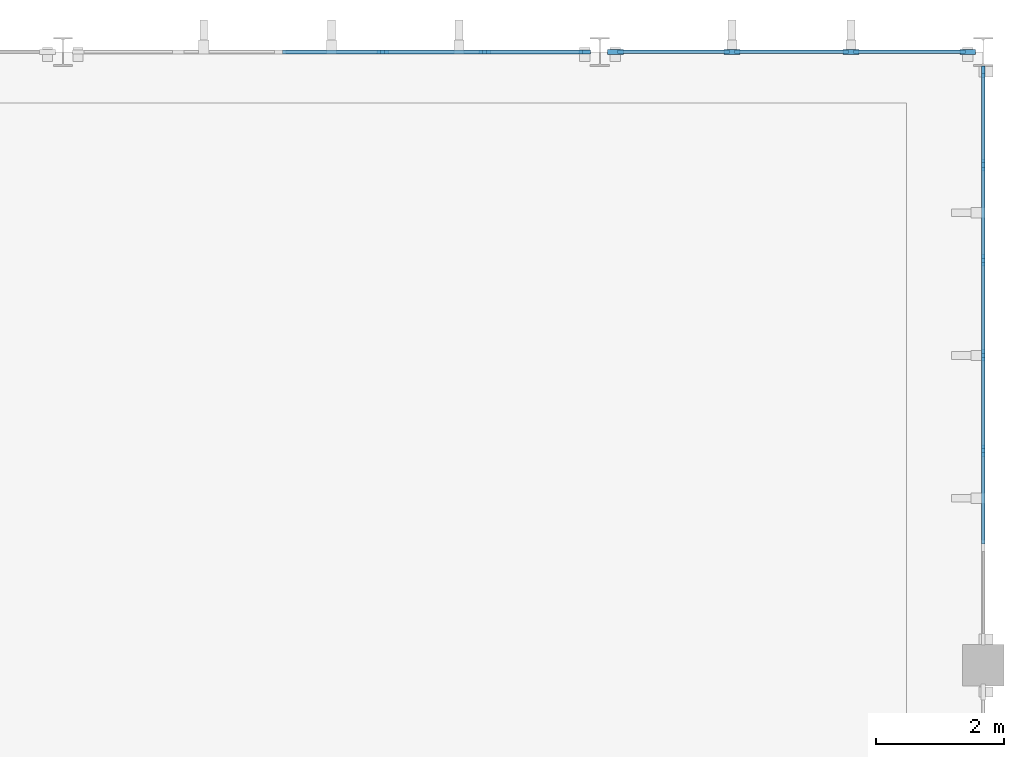
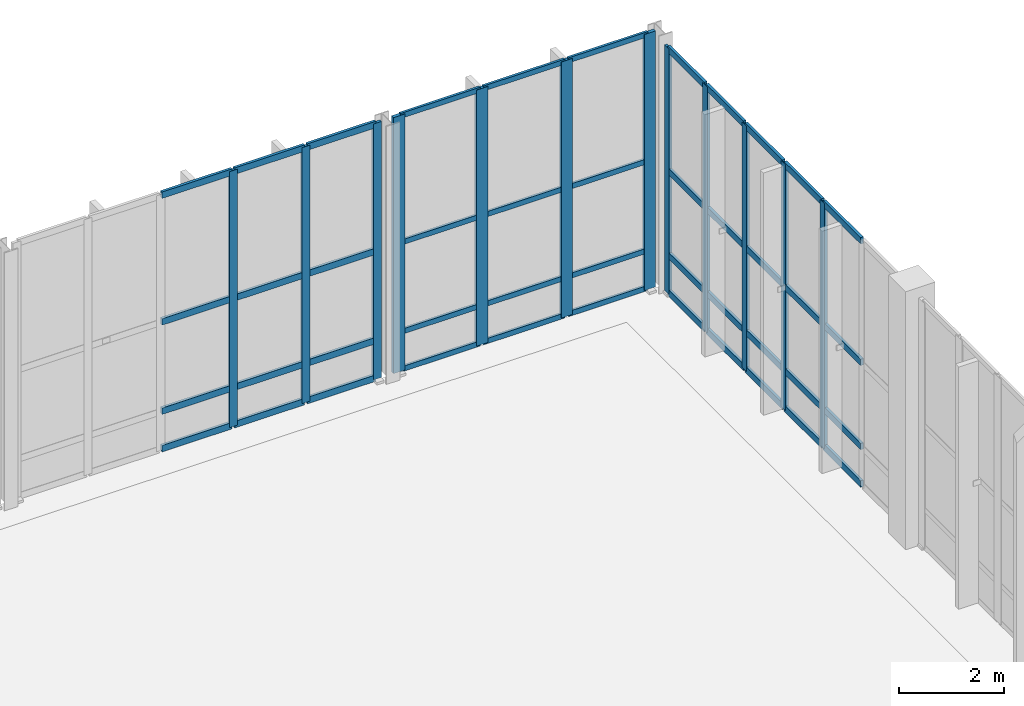
# One storey, part 55 of 110: 56 members, 3 elements without a shape of their own.
"""IFC4 building model written with IfcOpenShell, lengths in metres."""

import ifcopenshell
import ifcopenshell.guid

model = None  # the IFC model being written
_history = None  # IfcOwnerHistory: only IFC2X3 demands one
_inside = {}  # id of a spatial element -> (the spatial element, [elements in it])
_under = {}  # id of a project, library or spatial element -> (it, [spatial elements below it])
_declared = {}  # id of a project -> (the project, [libraries it declares])
_typed = {}  # id of a type object -> (the type object, [elements of that type])
_made_of = {}  # id of a material, layer set ... -> (it, [elements and type objects made of it])


def new_model(schema):
    """Start an empty IFC model of exactly this schema.

    Asked for "IFC4X3", IfcOpenShell would pick the latest addendum, in which some entities
    have other attributes; the version numbers below select the first issue.
    IFC2X3 requires an IfcOwnerHistory on every rooted entity: one is made here for all.
    """
    global model, _history
    if schema == "IFC4X3":
        model = ifcopenshell.file(schema_version=(4, 3, 0, 0))
    else:
        model = ifcopenshell.file(schema=schema)
    _inside.clear()
    _under.clear()
    _declared.clear()
    _typed.clear()
    _made_of.clear()
    _history = None
    if model.schema == "IFC2X3":
        org = make("IfcOrganization", Name="unknown")
        user = make(
            "IfcPersonAndOrganization",
            ThePerson=make("IfcPerson", FamilyName="unknown"),
            TheOrganization=org,
        )
        app = make(
            "IfcApplication",
            ApplicationDeveloper=org,
            Version="unknown",
            ApplicationFullName="unknown",
            ApplicationIdentifier="unknown",
        )
        _history = make(
            "IfcOwnerHistory",
            OwningUser=user,
            OwningApplication=app,
            ChangeAction="ADDED",
            CreationDate=0,
        )
    return model


def make(cls, **values):
    """One entity of the class cls with the attributes given. An attribute that is None is left unset."""
    return model.create_entity(
        cls, **{name: value for name, value in values.items() if value is not None}
    )


def rooted(cls, **values):
    """An entity with a GlobalId (a new one), such as an element, a storey or a relation."""
    return make(cls, GlobalId=ifcopenshell.guid.new(), OwnerHistory=_history, **values)


def si_unit(unit_type, name, prefix=None):
    """IfcSIUnit, for example si_unit("LENGTHUNIT", "METRE", prefix="MILLI")."""
    return make("IfcSIUnit", UnitType=unit_type, Prefix=prefix, Name=name)


def assignment(units):
    """IfcUnitAssignment: the units of a project."""
    return None if units is None else make("IfcUnitAssignment", Units=units)


def point(xyz):
    """IfcCartesianPoint."""
    return None if xyz is None else make("IfcCartesianPoint", Coordinates=xyz)


def direction(xyz):
    """IfcDirection."""
    return None if xyz is None else make("IfcDirection", DirectionRatios=xyz)


def frame(location, z_axis=None, x_axis=None):
    """IfcAxis2Placement3D, a coordinate frame: its origin and axes. An axis left out is left unset."""
    return make(
        "IfcAxis2Placement3D",
        Location=point(location),
        Axis=direction(z_axis),
        RefDirection=direction(x_axis),
    )


def frame_2d(location, x_axis=None):
    """IfcAxis2Placement2D, a coordinate frame in the plane: its origin and x axis."""
    return make(
        "IfcAxis2Placement2D", Location=point(location), RefDirection=direction(x_axis)
    )


def origin():
    """The frame at (0, 0, 0) with its axes left unset."""
    return frame((0.0, 0.0, 0.0))


def origin_2d():
    """The frame at (0, 0) in the plane with its x axis left unset."""
    return frame_2d((0.0, 0.0))


def place(relative_to, where):
    """IfcLocalPlacement: puts the frame where relative to a parent placement (None: the world)."""
    return make(
        "IfcLocalPlacement", PlacementRelTo=relative_to, RelativePlacement=where
    )


def context(
    kind, dimensions, precision=None, world=None, true_north=None, identifier=None
):
    """IfcGeometricRepresentationContext, for example the 3D "Model" context."""
    return make(
        "IfcGeometricRepresentationContext",
        ContextIdentifier=identifier,
        ContextType=kind,
        CoordinateSpaceDimension=dimensions,
        Precision=precision,
        WorldCoordinateSystem=world,
        TrueNorth=true_north,
    )


def subcontext(parent, identifier, kind, view, scale=None):
    """IfcGeometricRepresentationSubContext, for example "Body" below "Model"."""
    return make(
        "IfcGeometricRepresentationSubContext",
        ContextIdentifier=identifier,
        ContextType=kind,
        ParentContext=parent,
        TargetScale=scale,
        TargetView=view,
    )


def project(units=None, contexts=None):
    """IfcProject with its units and contexts."""
    return rooted(
        "IfcProject",
        Name="project",
        RepresentationContexts=contexts,
        UnitsInContext=assignment(units),
    )


def spatial(cls, under=None, at=None, **own):
    """A site, building, storey or space (cls), placed at a placement, below another one or the project."""
    s = rooted(cls, ObjectPlacement=at, **own)
    if under is not None:
        _under.setdefault(under.id(), (under, []))[1].append(s)
    return s


def profile(cls, at=None, kind="AREA", **sizes):
    """A parametric profile (cls). Its sizes go by their IFC names, for example OverallWidth=200.0."""
    return make(cls, ProfileType=kind, Position=at, **sizes)


def rectangle(**sizes):
    """IfcRectangleProfileDef."""
    return profile("IfcRectangleProfileDef", **sizes)


def extrude(swept, where, along, depth):
    """IfcExtrudedAreaSolid: the profile swept, set in the frame where, extruded along a direction by depth."""
    return make(
        "IfcExtrudedAreaSolid",
        SweptArea=swept,
        Position=where,
        ExtrudedDirection=direction(along),
        Depth=depth,
    )


def shape(context_of_items, identifier, shape_type, items):
    """IfcShapeRepresentation: the items that make up one representation, for example the "Body"."""
    return make(
        "IfcShapeRepresentation",
        ContextOfItems=context_of_items,
        RepresentationIdentifier=identifier,
        RepresentationType=shape_type,
        Items=items,
    )


def material(Name=None, Category=None):
    """IfcMaterial."""
    return make("IfcMaterial", Name=Name, Category=Category)


def material_profile(
    of_material, cross_section, Name=None, Category=None, Priority=None
):
    """IfcMaterialProfile: a cross section and its material."""
    return make(
        "IfcMaterialProfile",
        Name=Name,
        Material=of_material,
        Profile=cross_section,
        Priority=Priority,
        Category=Category,
    )


def profile_set(profiles, Name=None, composite=None):
    """IfcMaterialProfileSet."""
    return make(
        "IfcMaterialProfileSet",
        Name=Name,
        MaterialProfiles=profiles,
        CompositeProfile=composite,
    )


def made_of(thing, what):
    """Note that an element or type object is made of a material, layer set ...; save() writes the relation."""
    if what is not None:
        _made_of.setdefault(what.id(), (what, []))[1].append(thing)
    return thing


def type_object(cls, material=None, **own):
    """A type object (cls), such as IfcWallType, which elements share."""
    return made_of(rooted(cls, **own), material)


def element(
    cls,
    number,
    at=None,
    inside=None,
    cuts=None,
    type_object=None,
    material=None,
    context=None,
    identifier="Body",
    shape_type=None,
    held_by="IfcProductDefinitionShape",
    body=None,
    shapes=None,
    **own,
):
    """One element of the class cls, such as IfcWall. Its Tag is "e" and its number.

    at: its placement. inside: the storey or other place that contains it. cuts: it is an
    opening in that element (IfcRelVoidsElement). A single representation is given by context,
    identifier, shape_type and body (its items); several are given by shapes. held_by: the class
    of the entity that holds the representations. save() writes the other relations.
    """
    e = rooted(cls, Tag="e%d" % number, ObjectPlacement=at, **own)
    if body is not None:
        shapes = [shape(context, identifier, shape_type, body)]
    if shapes is not None:
        e.Representation = make(held_by, Representations=shapes)
    if inside is not None:
        _inside.setdefault(inside.id(), (inside, []))[1].append(e)
    if cuts is not None:
        rooted(
            "IfcRelVoidsElement", RelatingBuildingElement=cuts, RelatedOpeningElement=e
        )
    if type_object is not None:
        _typed.setdefault(type_object.id(), (type_object, []))[1].append(e)
    return made_of(e, material)


def aggregate(whole, parts):
    """IfcRelAggregates: a whole, such as a stair, and the parts it consists of."""
    return rooted("IfcRelAggregates", RelatingObject=whole, RelatedObjects=parts)


def save(model, path):
    """Write the relations noted so far, then the file.

    IfcRelAggregates (storeys below a building ...), IfcRelContainedInSpatialStructure (elements
    in a storey), IfcRelDefinesByType, IfcRelAssociatesMaterial and IfcRelDeclares: one each for
    every whole, place, type object, material and project.
    """
    for whole, parts in _under.values():
        aggregate(whole, parts)
    for where, things in _inside.values():
        rooted(
            "IfcRelContainedInSpatialStructure",
            RelatedElements=things,
            RelatingStructure=where,
        )
    for kind, things in _typed.values():
        rooted("IfcRelDefinesByType", RelatedObjects=things, RelatingType=kind)
    for what, things in _made_of.values():
        rooted("IfcRelAssociatesMaterial", RelatedObjects=things, RelatingMaterial=what)
    for by, libraries in _declared.values():
        rooted("IfcRelDeclares", RelatingContext=by, RelatedDefinitions=libraries)
    model.write(path)


model = new_model("IFC4")

# Units and contexts
model_context = context("Model", 3, precision=1e-05, world=origin(), true_north=direction((0.0, 1.0)))
body_context = subcontext(model_context, "Body", "Model", "MODEL_VIEW")
ifc_project = project(units=[si_unit("LENGTHUNIT", "METRE"), si_unit("AREAUNIT", "SQUARE_METRE"), si_unit("VOLUMEUNIT", "CUBIC_METRE"), si_unit("PLANEANGLEUNIT", "RADIAN"), si_unit("MASSUNIT", "GRAM", prefix="KILO")], contexts=[model_context])

# Site, building, storey
site_placement = place(None, origin())
site = spatial("IfcSite", under=ifc_project, at=site_placement, CompositionType="ELEMENT")
building_placement = place(site_placement, origin())
building = spatial("IfcBuilding", under=site, at=building_placement, Name="Tizgana Railside Sports Hall", CompositionType="ELEMENT")
storey_placement = place(building_placement, origin())
storey = spatial("IfcBuildingStorey", under=building, at=storey_placement, Name="L00", CompositionType="ELEMENT", Elevation=0.0)

# Curtain wall, members
ifc_material_1 = material(Name="Anodised aluminium and glass", Category="aluminium")
curtain_wall_type_1 = type_object("IfcCurtainWallType", Name="Unitised Curtain Wall Studio 1400", PredefinedType="NOTDEFINED", material=ifc_material_1)
curtain_wall_1_placement = place(storey_placement, origin())
curtain_wall_1 = element("IfcCurtainWall", 1, at=curtain_wall_1_placement, inside=storey, type_object=curtain_wall_type_1, Name="L00 Curtain Wall CW-0050", PredefinedType="NOTDEFINED")
ifc_material_2 = material(Name="Anodised aluminium", Category="aluminium")
ifc_material_profile_1 = material_profile(ifc_material_2, rectangle(XDim=0.06005859375, YDim=0.179931640625, at=origin_2d()), Name="Mullion 60x180")
ifc_profile_set_1 = profile_set([ifc_material_profile_1], Name="Anodised aluminium")
member_type_1 = type_object("IfcMemberType", Name="Mullion 60x180", PredefinedType="MULLION", material=ifc_profile_set_1)
member_1_placement = place(storey_placement, frame((162.799072265625, 117.60009765625, 0.044921875), z_axis=(0.0, 0.0, 1.0), x_axis=(0.0, 1.0, 0.0)))
member_1 = element("IfcMember", 2, at=member_1_placement, type_object=member_type_1, Name="CW-03 mullion 4", PredefinedType="MULLION", context=body_context, shape_type="SweptSolid", body=[
    extrude(rectangle(XDim=0.06005859375, YDim=0.179931640625, at=origin_2d()), origin(), (0.0, 0.0, 1.0), 5.955078125),
])
member_2_placement = place(storey_placement, frame((164.39697265625, 117.60009765625, 0.044921875), z_axis=(0.0, 0.0, 1.0), x_axis=(0.0, 1.0, 0.0)))
member_2 = element("IfcMember", 3, at=member_2_placement, type_object=member_type_1, Name="CW-03 mullion 5", PredefinedType="MULLION", context=body_context, shape_type="SweptSolid", body=[
    extrude(rectangle(XDim=0.06005859375, YDim=0.179931640625, at=origin_2d()), origin(), (0.0, 0.0, 1.0), 5.955078125),
])
member_3_placement = place(storey_placement, frame((165.965087890625, 117.60009765625, 0.044921875), z_axis=(0.0, 0.0, 1.0), x_axis=(0.0, 1.0, 0.0)))
member_3 = element("IfcMember", 4, at=member_3_placement, type_object=member_type_1, Name="CW-03 mullion 6", PredefinedType="MULLION", context=body_context, shape_type="SweptSolid", body=[
    extrude(rectangle(XDim=0.06005859375, YDim=0.179931640625, at=origin_2d()), origin(), (0.0, 0.0, 1.0), 5.955078125),
])

curtain_wall_type_2 = type_object("IfcCurtainWallType", Name="Unitised Curtain Wall Clinic 1200", PredefinedType="NOTDEFINED", material=ifc_material_1)
curtain_wall_2_placement = place(storey_placement, origin())
curtain_wall_2 = element("IfcCurtainWall", 5, at=curtain_wall_2_placement, inside=storey, type_object=curtain_wall_type_2, Name="L00 Curtain Wall CW-0068", PredefinedType="NOTDEFINED")
member_4_placement = place(storey_placement, frame((172.199951171875, 111.360107421875, 0.044921875), z_axis=(0.0, 0.0, 1.0), x_axis=(-1.0, 0.0, 0.0)))
member_4 = element("IfcMember", 6, at=member_4_placement, type_object=member_type_1, Name="CW-05 mullion 3", PredefinedType="MULLION", context=body_context, shape_type="SweptSolid", body=[
    extrude(rectangle(XDim=0.06005859375, YDim=0.179931640625, at=origin_2d()), origin(), (0.0, 0.0, 1.0), 5.715087890625),
])
member_5_placement = place(storey_placement, frame((172.199951171875, 112.85009765625, 0.044921875), z_axis=(0.0, 0.0, 1.0), x_axis=(-1.0, 0.0, 0.0)))
member_5 = element("IfcMember", 7, at=member_5_placement, type_object=member_type_1, Name="CW-05 mullion 4", PredefinedType="MULLION", context=body_context, shape_type="SweptSolid", body=[
    extrude(rectangle(XDim=0.06005859375, YDim=0.179931640625, at=origin_2d()), origin(), (0.0, 0.0, 1.0), 5.715087890625),
])
member_6_placement = place(storey_placement, frame((172.199951171875, 114.340087890625, 0.044921875), z_axis=(0.0, 0.0, 1.0), x_axis=(-1.0, 0.0, 0.0)))
member_6 = element("IfcMember", 8, at=member_6_placement, type_object=member_type_1, Name="CW-05 mullion 5", PredefinedType="MULLION", context=body_context, shape_type="SweptSolid", body=[
    extrude(rectangle(XDim=0.06005859375, YDim=0.179931640625, at=origin_2d()), origin(), (0.0, 0.0, 1.0), 5.715087890625),
])
member_7_placement = place(storey_placement, frame((172.199951171875, 115.830078125, 0.044921875), z_axis=(0.0, 0.0, 1.0), x_axis=(-1.0, 0.0, 0.0)))
member_7 = element("IfcMember", 9, at=member_7_placement, type_object=member_type_1, Name="CW-05 mullion 6", PredefinedType="MULLION", context=body_context, shape_type="SweptSolid", body=[
    extrude(rectangle(XDim=0.06005859375, YDim=0.179931640625, at=origin_2d()), origin(), (0.0, 0.0, 1.0), 5.715087890625),
])
member_8_placement = place(storey_placement, frame((172.199951171875, 117.2900390625, 0.044921875), z_axis=(0.0, 0.0, 1.0), x_axis=(-1.0, 0.0, 0.0)))
member_8 = element("IfcMember", 10, at=member_8_placement, type_object=member_type_1, Name="CW-05 mullion 7", PredefinedType="MULLION", context=body_context, shape_type="SweptSolid", body=[
    extrude(rectangle(XDim=0.06005859375, YDim=0.179931640625, at=origin_2d()), origin(), (0.0, 0.0, 1.0), 5.715087890625),
])

curtain_wall_type_3 = type_object("IfcCurtainWallType", Name="Unitised Curtain Wall Passage 1800", PredefinedType="NOTDEFINED", material=ifc_material_1)
curtain_wall_3_placement = place(storey_placement, origin())
curtain_wall_3 = element("IfcCurtainWall", 11, at=curtain_wall_3_placement, inside=storey, type_object=curtain_wall_type_3, Name="L00 Curtain Wall CW-0053", PredefinedType="NOTDEFINED")
ifc_material_profile_2 = material_profile(ifc_material_2, rectangle(XDim=0.074951171875, YDim=0.25, at=origin_2d()), Name="Mullion 75x250")
ifc_profile_set_2 = profile_set([ifc_material_profile_2], Name="Anodised aluminium")
member_type_2 = type_object("IfcMemberType", Name="Mullion 75x250", PredefinedType="MULLION", material=ifc_profile_set_2)
member_9_placement = place(storey_placement, frame((166.4423828125, 117.60009765625, 0.044921875), z_axis=(0.0, 0.0, 1.0), x_axis=(0.0, 1.0, 0.0)))
member_9 = element("IfcMember", 12, at=member_9_placement, type_object=member_type_2, Name="CW-06 mullion 1", PredefinedType="MULLION", context=body_context, shape_type="SweptSolid", body=[
    extrude(rectangle(XDim=0.074951171875, YDim=0.25, at=origin_2d()), origin(), (0.0, 0.0, 1.0), 5.955078125),
])
member_10_placement = place(storey_placement, frame((168.268310546875, 117.60009765625, 0.044921875), z_axis=(0.0, 0.0, 1.0), x_axis=(0.0, 1.0, 0.0)))
member_10 = element("IfcMember", 13, at=member_10_placement, type_object=member_type_2, Name="CW-06 mullion 2", PredefinedType="MULLION", context=body_context, shape_type="SweptSolid", body=[
    extrude(rectangle(XDim=0.074951171875, YDim=0.25, at=origin_2d()), origin(), (0.0, 0.0, 1.0), 5.955078125),
])
member_11_placement = place(storey_placement, frame((170.131591796875, 117.60009765625, 0.044921875), z_axis=(0.0, 0.0, 1.0), x_axis=(0.0, 1.0, 0.0)))
member_11 = element("IfcMember", 14, at=member_11_placement, type_object=member_type_2, Name="CW-06 mullion 3", PredefinedType="MULLION", context=body_context, shape_type="SweptSolid", body=[
    extrude(rectangle(XDim=0.074951171875, YDim=0.25, at=origin_2d()), origin(), (0.0, 0.0, 1.0), 5.955078125),
])
member_12_placement = place(storey_placement, frame((171.95751953125, 117.60009765625, 0.044921875), z_axis=(0.0, 0.0, 1.0), x_axis=(0.0, 1.0, 0.0)))
member_12 = element("IfcMember", 15, at=member_12_placement, type_object=member_type_2, Name="CW-06 mullion 4", PredefinedType="MULLION", context=body_context, shape_type="SweptSolid", body=[
    extrude(rectangle(XDim=0.074951171875, YDim=0.25, at=origin_2d()), origin(), (0.0, 0.0, 1.0), 5.955078125),
])
ifc_material_profile_3 = material_profile(ifc_material_2, rectangle(XDim=0.054931640625, YDim=0.1201171875, at=origin_2d()), Name="Transom 55x120")
ifc_profile_set_3 = profile_set([ifc_material_profile_3], Name="Anodised aluminium")
member_type_3 = type_object("IfcMemberType", Name="Transom 55x120", PredefinedType="USERDEFINED", material=ifc_profile_set_3)
member_13_placement = place(storey_placement, frame((166.47998046875, 117.60009765625, 0.072509765625), z_axis=(1.0, 0.0, 0.0), x_axis=(0.0, 1.0, 0.0)))
member_13 = element("IfcMember", 16, at=member_13_placement, type_object=member_type_3, Name="CW-06 transom 1.1", ObjectType="TRANSOM", PredefinedType="USERDEFINED", context=body_context, shape_type="SweptSolid", body=[
    extrude(rectangle(XDim=0.054931640625, YDim=0.1201171875, at=origin_2d()), origin(), (0.0, 0.0, 1.0), 1.750732421875),
])
member_14_placement = place(storey_placement, frame((166.47998046875, 117.60009765625, 0.945068359375), z_axis=(1.0, 0.0, 0.0), x_axis=(0.0, 1.0, 0.0)))
member_14 = element("IfcMember", 17, at=member_14_placement, type_object=member_type_3, Name="CW-06 transom 1.2", ObjectType="TRANSOM", PredefinedType="USERDEFINED", context=body_context, shape_type="SweptSolid", body=[
    extrude(rectangle(XDim=0.054931640625, YDim=0.1201171875, at=origin_2d()), origin(), (0.0, 0.0, 1.0), 1.750732421875),
])
member_15_placement = place(storey_placement, frame((166.47998046875, 117.60009765625, 3.0224609375), z_axis=(1.0, 0.0, 0.0), x_axis=(0.0, 1.0, 0.0)))
member_15 = element("IfcMember", 18, at=member_15_placement, type_object=member_type_3, Name="CW-06 transom 1.3", ObjectType="TRANSOM", PredefinedType="USERDEFINED", context=body_context, shape_type="SweptSolid", body=[
    extrude(rectangle(XDim=0.054931640625, YDim=0.1201171875, at=origin_2d()), origin(), (0.0, 0.0, 1.0), 1.750732421875),
])
member_16_placement = place(storey_placement, frame((166.47998046875, 117.60009765625, 5.972412109375), z_axis=(1.0, 0.0, 0.0), x_axis=(0.0, 1.0, 0.0)))
member_16 = element("IfcMember", 19, at=member_16_placement, type_object=member_type_3, Name="CW-06 transom 1.4", ObjectType="TRANSOM", PredefinedType="USERDEFINED", context=body_context, shape_type="SweptSolid", body=[
    extrude(rectangle(XDim=0.054931640625, YDim=0.1201171875, at=origin_2d()), origin(), (0.0, 0.0, 1.0), 1.750732421875),
])
member_17_placement = place(storey_placement, frame((168.305908203125, 117.60009765625, 0.072509765625), z_axis=(1.0, 0.0, 0.0), x_axis=(0.0, 1.0, 0.0)))
member_17 = element("IfcMember", 20, at=member_17_placement, type_object=member_type_3, Name="CW-06 transom 2.1", ObjectType="TRANSOM", PredefinedType="USERDEFINED", context=body_context, shape_type="SweptSolid", body=[
    extrude(rectangle(XDim=0.054931640625, YDim=0.1201171875, at=origin_2d()), origin(), (0.0, 0.0, 1.0), 1.788330078125),
])
member_18_placement = place(storey_placement, frame((168.305908203125, 117.60009765625, 0.945068359375), z_axis=(1.0, 0.0, 0.0), x_axis=(0.0, 1.0, 0.0)))
member_18 = element("IfcMember", 21, at=member_18_placement, type_object=member_type_3, Name="CW-06 transom 2.2", ObjectType="TRANSOM", PredefinedType="USERDEFINED", context=body_context, shape_type="SweptSolid", body=[
    extrude(rectangle(XDim=0.054931640625, YDim=0.1201171875, at=origin_2d()), origin(), (0.0, 0.0, 1.0), 1.788330078125),
])
member_19_placement = place(storey_placement, frame((168.305908203125, 117.60009765625, 3.0224609375), z_axis=(1.0, 0.0, 0.0), x_axis=(0.0, 1.0, 0.0)))
member_19 = element("IfcMember", 22, at=member_19_placement, type_object=member_type_3, Name="CW-06 transom 2.3", ObjectType="TRANSOM", PredefinedType="USERDEFINED", context=body_context, shape_type="SweptSolid", body=[
    extrude(rectangle(XDim=0.054931640625, YDim=0.1201171875, at=origin_2d()), origin(), (0.0, 0.0, 1.0), 1.788330078125),
])
member_20_placement = place(storey_placement, frame((168.305908203125, 117.60009765625, 5.972412109375), z_axis=(1.0, 0.0, 0.0), x_axis=(0.0, 1.0, 0.0)))
member_20 = element("IfcMember", 23, at=member_20_placement, type_object=member_type_3, Name="CW-06 transom 2.4", ObjectType="TRANSOM", PredefinedType="USERDEFINED", context=body_context, shape_type="SweptSolid", body=[
    extrude(rectangle(XDim=0.054931640625, YDim=0.1201171875, at=origin_2d()), origin(), (0.0, 0.0, 1.0), 1.788330078125),
])
member_21_placement = place(storey_placement, frame((170.169189453125, 117.60009765625, 0.072509765625), z_axis=(1.0, 0.0, 0.0), x_axis=(0.0, 1.0, 0.0)))
member_21 = element("IfcMember", 24, at=member_21_placement, type_object=member_type_3, Name="CW-06 transom 3.1", ObjectType="TRANSOM", PredefinedType="USERDEFINED", context=body_context, shape_type="SweptSolid", body=[
    extrude(rectangle(XDim=0.054931640625, YDim=0.1201171875, at=origin_2d()), origin(), (0.0, 0.0, 1.0), 1.750732421875),
])
member_22_placement = place(storey_placement, frame((170.169189453125, 117.60009765625, 0.945068359375), z_axis=(1.0, 0.0, 0.0), x_axis=(0.0, 1.0, 0.0)))
member_22 = element("IfcMember", 25, at=member_22_placement, type_object=member_type_3, Name="CW-06 transom 3.2", ObjectType="TRANSOM", PredefinedType="USERDEFINED", context=body_context, shape_type="SweptSolid", body=[
    extrude(rectangle(XDim=0.054931640625, YDim=0.1201171875, at=origin_2d()), origin(), (0.0, 0.0, 1.0), 1.750732421875),
])
member_23_placement = place(storey_placement, frame((170.169189453125, 117.60009765625, 3.0224609375), z_axis=(1.0, 0.0, 0.0), x_axis=(0.0, 1.0, 0.0)))
member_23 = element("IfcMember", 26, at=member_23_placement, type_object=member_type_3, Name="CW-06 transom 3.3", ObjectType="TRANSOM", PredefinedType="USERDEFINED", context=body_context, shape_type="SweptSolid", body=[
    extrude(rectangle(XDim=0.054931640625, YDim=0.1201171875, at=origin_2d()), origin(), (0.0, 0.0, 1.0), 1.750732421875),
])
member_24_placement = place(storey_placement, frame((170.169189453125, 117.60009765625, 5.972412109375), z_axis=(1.0, 0.0, 0.0), x_axis=(0.0, 1.0, 0.0)))
member_24 = element("IfcMember", 27, at=member_24_placement, type_object=member_type_3, Name="CW-06 transom 3.4", ObjectType="TRANSOM", PredefinedType="USERDEFINED", context=body_context, shape_type="SweptSolid", body=[
    extrude(rectangle(XDim=0.054931640625, YDim=0.1201171875, at=origin_2d()), origin(), (0.0, 0.0, 1.0), 1.750732421875),
])
aggregate(curtain_wall_3, [member_9, member_10, member_11, member_12, member_13, member_14, member_15, member_16, member_17, member_18, member_19, member_20, member_21, member_22, member_23, member_24])

# Member
ifc_material_profile_4 = material_profile(ifc_material_2, rectangle(XDim=0.06005859375, YDim=0.14990234375, at=origin_2d()), Name="Transom 60x150")
ifc_profile_set_4 = profile_set([ifc_material_profile_4], Name="Anodised aluminium")
member_type_4 = type_object("IfcMemberType", Name="Transom 60x150", PredefinedType="USERDEFINED", material=ifc_profile_set_4)
member_25_placement = place(storey_placement, frame((161.23095703125, 117.60009765625, 0.074951171875), z_axis=(1.0, 0.0, 0.0), x_axis=(0.0, 1.0, 0.0)))
member_25 = element("IfcMember", 28, at=member_25_placement, type_object=member_type_4, Name="CW-03 transom 3.1", ObjectType="TRANSOM", PredefinedType="USERDEFINED", context=body_context, shape_type="SweptSolid", body=[
    extrude(rectangle(XDim=0.06005859375, YDim=0.14990234375, at=origin_2d()), origin(), (0.0, 0.0, 1.0), 1.5380859375),
])

member_26_placement = place(storey_placement, frame((161.23095703125, 117.60009765625, 0.945068359375), z_axis=(1.0, 0.0, 0.0), x_axis=(0.0, 1.0, 0.0)))
member_26 = element("IfcMember", 29, at=member_26_placement, type_object=member_type_4, Name="CW-03 transom 3.2", ObjectType="TRANSOM", PredefinedType="USERDEFINED", context=body_context, shape_type="SweptSolid", body=[
    extrude(rectangle(XDim=0.06005859375, YDim=0.14990234375, at=origin_2d()), origin(), (0.0, 0.0, 1.0), 1.5380859375),
])

member_27_placement = place(storey_placement, frame((161.23095703125, 117.60009765625, 3.0224609375), z_axis=(1.0, 0.0, 0.0), x_axis=(0.0, 1.0, 0.0)))
member_27 = element("IfcMember", 30, at=member_27_placement, type_object=member_type_4, Name="CW-03 transom 3.3", ObjectType="TRANSOM", PredefinedType="USERDEFINED", context=body_context, shape_type="SweptSolid", body=[
    extrude(rectangle(XDim=0.06005859375, YDim=0.14990234375, at=origin_2d()), origin(), (0.0, 0.0, 1.0), 1.5380859375),
])

member_28_placement = place(storey_placement, frame((161.23095703125, 117.60009765625, 5.969970703125), z_axis=(1.0, 0.0, 0.0), x_axis=(0.0, 1.0, 0.0)))
member_28 = element("IfcMember", 31, at=member_28_placement, type_object=member_type_4, Name="CW-03 transom 3.4", ObjectType="TRANSOM", PredefinedType="USERDEFINED", context=body_context, shape_type="SweptSolid", body=[
    extrude(rectangle(XDim=0.06005859375, YDim=0.14990234375, at=origin_2d()), origin(), (0.0, 0.0, 1.0), 1.5380859375),
])

member_29_placement = place(storey_placement, frame((162.8291015625, 117.60009765625, 0.074951171875), z_axis=(1.0, 0.0, 0.0), x_axis=(0.0, 1.0, 0.0)))
member_29 = element("IfcMember", 32, at=member_29_placement, type_object=member_type_4, Name="CW-03 transom 4.1", ObjectType="TRANSOM", PredefinedType="USERDEFINED", context=body_context, shape_type="SweptSolid", body=[
    extrude(rectangle(XDim=0.06005859375, YDim=0.14990234375, at=origin_2d()), origin(), (0.0, 0.0, 1.0), 1.537841796875),
])

member_30_placement = place(storey_placement, frame((162.8291015625, 117.60009765625, 0.945068359375), z_axis=(1.0, 0.0, 0.0), x_axis=(0.0, 1.0, 0.0)))
member_30 = element("IfcMember", 33, at=member_30_placement, type_object=member_type_4, Name="CW-03 transom 4.2", ObjectType="TRANSOM", PredefinedType="USERDEFINED", context=body_context, shape_type="SweptSolid", body=[
    extrude(rectangle(XDim=0.06005859375, YDim=0.14990234375, at=origin_2d()), origin(), (0.0, 0.0, 1.0), 1.537841796875),
])

member_31_placement = place(storey_placement, frame((162.8291015625, 117.60009765625, 3.0224609375), z_axis=(1.0, 0.0, 0.0), x_axis=(0.0, 1.0, 0.0)))
member_31 = element("IfcMember", 34, at=member_31_placement, type_object=member_type_4, Name="CW-03 transom 4.3", ObjectType="TRANSOM", PredefinedType="USERDEFINED", context=body_context, shape_type="SweptSolid", body=[
    extrude(rectangle(XDim=0.06005859375, YDim=0.14990234375, at=origin_2d()), origin(), (0.0, 0.0, 1.0), 1.537841796875),
])

member_32_placement = place(storey_placement, frame((162.8291015625, 117.60009765625, 5.969970703125), z_axis=(1.0, 0.0, 0.0), x_axis=(0.0, 1.0, 0.0)))
member_32 = element("IfcMember", 35, at=member_32_placement, type_object=member_type_4, Name="CW-03 transom 4.4", ObjectType="TRANSOM", PredefinedType="USERDEFINED", context=body_context, shape_type="SweptSolid", body=[
    extrude(rectangle(XDim=0.06005859375, YDim=0.14990234375, at=origin_2d()), origin(), (0.0, 0.0, 1.0), 1.537841796875),
])

member_33_placement = place(storey_placement, frame((164.427001953125, 117.60009765625, 0.074951171875), z_axis=(1.0, 0.0, 0.0), x_axis=(0.0, 1.0, 0.0)))
member_33 = element("IfcMember", 36, at=member_33_placement, type_object=member_type_4, Name="CW-03 transom 5.1", ObjectType="TRANSOM", PredefinedType="USERDEFINED", context=body_context, shape_type="SweptSolid", body=[
    extrude(rectangle(XDim=0.06005859375, YDim=0.14990234375, at=origin_2d()), origin(), (0.0, 0.0, 1.0), 1.508056640625),
])

member_34_placement = place(storey_placement, frame((164.427001953125, 117.60009765625, 0.945068359375), z_axis=(1.0, 0.0, 0.0), x_axis=(0.0, 1.0, 0.0)))
member_34 = element("IfcMember", 37, at=member_34_placement, type_object=member_type_4, Name="CW-03 transom 5.2", ObjectType="TRANSOM", PredefinedType="USERDEFINED", context=body_context, shape_type="SweptSolid", body=[
    extrude(rectangle(XDim=0.06005859375, YDim=0.14990234375, at=origin_2d()), origin(), (0.0, 0.0, 1.0), 1.508056640625),
])

member_35_placement = place(storey_placement, frame((164.427001953125, 117.60009765625, 3.0224609375), z_axis=(1.0, 0.0, 0.0), x_axis=(0.0, 1.0, 0.0)))
member_35 = element("IfcMember", 38, at=member_35_placement, type_object=member_type_4, Name="CW-03 transom 5.3", ObjectType="TRANSOM", PredefinedType="USERDEFINED", context=body_context, shape_type="SweptSolid", body=[
    extrude(rectangle(XDim=0.06005859375, YDim=0.14990234375, at=origin_2d()), origin(), (0.0, 0.0, 1.0), 1.508056640625),
])

member_36_placement = place(storey_placement, frame((164.427001953125, 117.60009765625, 5.969970703125), z_axis=(1.0, 0.0, 0.0), x_axis=(0.0, 1.0, 0.0)))
member_36 = element("IfcMember", 39, at=member_36_placement, type_object=member_type_4, Name="CW-03 transom 5.4", ObjectType="TRANSOM", PredefinedType="USERDEFINED", context=body_context, shape_type="SweptSolid", body=[
    extrude(rectangle(XDim=0.06005859375, YDim=0.14990234375, at=origin_2d()), origin(), (0.0, 0.0, 1.0), 1.508056640625),
])

aggregate(curtain_wall_1, [member_1, member_2, member_3, member_25, member_26, member_27, member_28, member_29, member_30, member_31, member_32, member_33, member_34, member_35, member_36])

member_37_placement = place(storey_placement, frame((172.199951171875, 109.89990234375, 0.074951171875), z_axis=(0.0, 1.0, 0.0), x_axis=(-1.0, 0.0, 0.0)))
member_37 = element("IfcMember", 40, at=member_37_placement, type_object=member_type_4, Name="CW-05 transom 2.1", ObjectType="TRANSOM", PredefinedType="USERDEFINED", context=body_context, shape_type="SweptSolid", body=[
    extrude(rectangle(XDim=0.06005859375, YDim=0.14990234375, at=origin_2d()), origin(), (0.0, 0.0, 1.0), 1.43017578125),
])

member_38_placement = place(storey_placement, frame((172.199951171875, 109.89990234375, 0.945068359375), z_axis=(0.0, 1.0, 0.0), x_axis=(-1.0, 0.0, 0.0)))
member_38 = element("IfcMember", 41, at=member_38_placement, type_object=member_type_4, Name="CW-05 transom 2.2", ObjectType="TRANSOM", PredefinedType="USERDEFINED", context=body_context, shape_type="SweptSolid", body=[
    extrude(rectangle(XDim=0.06005859375, YDim=0.14990234375, at=origin_2d()), origin(), (0.0, 0.0, 1.0), 1.43017578125),
])

member_39_placement = place(storey_placement, frame((172.199951171875, 109.89990234375, 2.902587890625), z_axis=(0.0, 1.0, 0.0), x_axis=(-1.0, 0.0, 0.0)))
member_39 = element("IfcMember", 42, at=member_39_placement, type_object=member_type_4, Name="CW-05 transom 2.3", ObjectType="TRANSOM", PredefinedType="USERDEFINED", context=body_context, shape_type="SweptSolid", body=[
    extrude(rectangle(XDim=0.06005859375, YDim=0.14990234375, at=origin_2d()), origin(), (0.0, 0.0, 1.0), 1.43017578125),
])

member_40_placement = place(storey_placement, frame((172.199951171875, 109.89990234375, 5.72998046875), z_axis=(0.0, 1.0, 0.0), x_axis=(-1.0, 0.0, 0.0)))
member_40 = element("IfcMember", 43, at=member_40_placement, type_object=member_type_4, Name="CW-05 transom 2.4", ObjectType="TRANSOM", PredefinedType="USERDEFINED", context=body_context, shape_type="SweptSolid", body=[
    extrude(rectangle(XDim=0.06005859375, YDim=0.14990234375, at=origin_2d()), origin(), (0.0, 0.0, 1.0), 1.43017578125),
])

member_41_placement = place(storey_placement, frame((172.199951171875, 111.389892578125, 0.074951171875), z_axis=(0.0, 1.0, 0.0), x_axis=(-1.0, 0.0, 0.0)))
member_41 = element("IfcMember", 44, at=member_41_placement, type_object=member_type_4, Name="CW-05 transom 3.1", ObjectType="TRANSOM", PredefinedType="USERDEFINED", context=body_context, shape_type="SweptSolid", body=[
    extrude(rectangle(XDim=0.06005859375, YDim=0.14990234375, at=origin_2d()), origin(), (0.0, 0.0, 1.0), 1.43017578125),
])

member_42_placement = place(storey_placement, frame((172.199951171875, 111.389892578125, 0.945068359375), z_axis=(0.0, 1.0, 0.0), x_axis=(-1.0, 0.0, 0.0)))
member_42 = element("IfcMember", 45, at=member_42_placement, type_object=member_type_4, Name="CW-05 transom 3.2", ObjectType="TRANSOM", PredefinedType="USERDEFINED", context=body_context, shape_type="SweptSolid", body=[
    extrude(rectangle(XDim=0.06005859375, YDim=0.14990234375, at=origin_2d()), origin(), (0.0, 0.0, 1.0), 1.43017578125),
])

member_43_placement = place(storey_placement, frame((172.199951171875, 111.389892578125, 2.902587890625), z_axis=(0.0, 1.0, 0.0), x_axis=(-1.0, 0.0, 0.0)))
member_43 = element("IfcMember", 46, at=member_43_placement, type_object=member_type_4, Name="CW-05 transom 3.3", ObjectType="TRANSOM", PredefinedType="USERDEFINED", context=body_context, shape_type="SweptSolid", body=[
    extrude(rectangle(XDim=0.06005859375, YDim=0.14990234375, at=origin_2d()), origin(), (0.0, 0.0, 1.0), 1.43017578125),
])

member_44_placement = place(storey_placement, frame((172.199951171875, 111.389892578125, 5.72998046875), z_axis=(0.0, 1.0, 0.0), x_axis=(-1.0, 0.0, 0.0)))
member_44 = element("IfcMember", 47, at=member_44_placement, type_object=member_type_4, Name="CW-05 transom 3.4", ObjectType="TRANSOM", PredefinedType="USERDEFINED", context=body_context, shape_type="SweptSolid", body=[
    extrude(rectangle(XDim=0.06005859375, YDim=0.14990234375, at=origin_2d()), origin(), (0.0, 0.0, 1.0), 1.43017578125),
])

member_45_placement = place(storey_placement, frame((172.199951171875, 112.8798828125, 0.074951171875), z_axis=(0.0, 1.0, 0.0), x_axis=(-1.0, 0.0, 0.0)))
member_45 = element("IfcMember", 48, at=member_45_placement, type_object=member_type_4, Name="CW-05 transom 4.1", ObjectType="TRANSOM", PredefinedType="USERDEFINED", context=body_context, shape_type="SweptSolid", body=[
    extrude(rectangle(XDim=0.06005859375, YDim=0.14990234375, at=origin_2d()), origin(), (0.0, 0.0, 1.0), 1.43017578125),
])

member_46_placement = place(storey_placement, frame((172.199951171875, 112.8798828125, 0.945068359375), z_axis=(0.0, 1.0, 0.0), x_axis=(-1.0, 0.0, 0.0)))
member_46 = element("IfcMember", 49, at=member_46_placement, type_object=member_type_4, Name="CW-05 transom 4.2", ObjectType="TRANSOM", PredefinedType="USERDEFINED", context=body_context, shape_type="SweptSolid", body=[
    extrude(rectangle(XDim=0.06005859375, YDim=0.14990234375, at=origin_2d()), origin(), (0.0, 0.0, 1.0), 1.43017578125),
])

member_47_placement = place(storey_placement, frame((172.199951171875, 112.8798828125, 2.902587890625), z_axis=(0.0, 1.0, 0.0), x_axis=(-1.0, 0.0, 0.0)))
member_47 = element("IfcMember", 50, at=member_47_placement, type_object=member_type_4, Name="CW-05 transom 4.3", ObjectType="TRANSOM", PredefinedType="USERDEFINED", context=body_context, shape_type="SweptSolid", body=[
    extrude(rectangle(XDim=0.06005859375, YDim=0.14990234375, at=origin_2d()), origin(), (0.0, 0.0, 1.0), 1.43017578125),
])

member_48_placement = place(storey_placement, frame((172.199951171875, 112.8798828125, 5.72998046875), z_axis=(0.0, 1.0, 0.0), x_axis=(-1.0, 0.0, 0.0)))
member_48 = element("IfcMember", 51, at=member_48_placement, type_object=member_type_4, Name="CW-05 transom 4.4", ObjectType="TRANSOM", PredefinedType="USERDEFINED", context=body_context, shape_type="SweptSolid", body=[
    extrude(rectangle(XDim=0.06005859375, YDim=0.14990234375, at=origin_2d()), origin(), (0.0, 0.0, 1.0), 1.43017578125),
])

member_49_placement = place(storey_placement, frame((172.199951171875, 114.3701171875, 0.074951171875), z_axis=(0.0, 1.0, 0.0), x_axis=(-1.0, 0.0, 0.0)))
member_49 = element("IfcMember", 52, at=member_49_placement, type_object=member_type_4, Name="CW-05 transom 5.1", ObjectType="TRANSOM", PredefinedType="USERDEFINED", context=body_context, shape_type="SweptSolid", body=[
    extrude(rectangle(XDim=0.06005859375, YDim=0.14990234375, at=origin_2d()), origin(), (0.0, 0.0, 1.0), 1.429931640625),
])

member_50_placement = place(storey_placement, frame((172.199951171875, 114.3701171875, 0.945068359375), z_axis=(0.0, 1.0, 0.0), x_axis=(-1.0, 0.0, 0.0)))
member_50 = element("IfcMember", 53, at=member_50_placement, type_object=member_type_4, Name="CW-05 transom 5.2", ObjectType="TRANSOM", PredefinedType="USERDEFINED", context=body_context, shape_type="SweptSolid", body=[
    extrude(rectangle(XDim=0.06005859375, YDim=0.14990234375, at=origin_2d()), origin(), (0.0, 0.0, 1.0), 1.429931640625),
])

member_51_placement = place(storey_placement, frame((172.199951171875, 114.3701171875, 2.902587890625), z_axis=(0.0, 1.0, 0.0), x_axis=(-1.0, 0.0, 0.0)))
member_51 = element("IfcMember", 54, at=member_51_placement, type_object=member_type_4, Name="CW-05 transom 5.3", ObjectType="TRANSOM", PredefinedType="USERDEFINED", context=body_context, shape_type="SweptSolid", body=[
    extrude(rectangle(XDim=0.06005859375, YDim=0.14990234375, at=origin_2d()), origin(), (0.0, 0.0, 1.0), 1.429931640625),
])

member_52_placement = place(storey_placement, frame((172.199951171875, 114.3701171875, 5.72998046875), z_axis=(0.0, 1.0, 0.0), x_axis=(-1.0, 0.0, 0.0)))
member_52 = element("IfcMember", 55, at=member_52_placement, type_object=member_type_4, Name="CW-05 transom 5.4", ObjectType="TRANSOM", PredefinedType="USERDEFINED", context=body_context, shape_type="SweptSolid", body=[
    extrude(rectangle(XDim=0.06005859375, YDim=0.14990234375, at=origin_2d()), origin(), (0.0, 0.0, 1.0), 1.429931640625),
])

member_53_placement = place(storey_placement, frame((172.199951171875, 115.860107421875, 0.074951171875), z_axis=(0.0, 1.0, 0.0), x_axis=(-1.0, 0.0, 0.0)))
member_53 = element("IfcMember", 56, at=member_53_placement, type_object=member_type_4, Name="CW-05 transom 6.1", ObjectType="TRANSOM", PredefinedType="USERDEFINED", context=body_context, shape_type="SweptSolid", body=[
    extrude(rectangle(XDim=0.06005859375, YDim=0.14990234375, at=origin_2d()), origin(), (0.0, 0.0, 1.0), 1.39990234375),
])

member_54_placement = place(storey_placement, frame((172.199951171875, 115.860107421875, 0.945068359375), z_axis=(0.0, 1.0, 0.0), x_axis=(-1.0, 0.0, 0.0)))
member_54 = element("IfcMember", 57, at=member_54_placement, type_object=member_type_4, Name="CW-05 transom 6.2", ObjectType="TRANSOM", PredefinedType="USERDEFINED", context=body_context, shape_type="SweptSolid", body=[
    extrude(rectangle(XDim=0.06005859375, YDim=0.14990234375, at=origin_2d()), origin(), (0.0, 0.0, 1.0), 1.39990234375),
])

member_55_placement = place(storey_placement, frame((172.199951171875, 115.860107421875, 2.902587890625), z_axis=(0.0, 1.0, 0.0), x_axis=(-1.0, 0.0, 0.0)))
member_55 = element("IfcMember", 58, at=member_55_placement, type_object=member_type_4, Name="CW-05 transom 6.3", ObjectType="TRANSOM", PredefinedType="USERDEFINED", context=body_context, shape_type="SweptSolid", body=[
    extrude(rectangle(XDim=0.06005859375, YDim=0.14990234375, at=origin_2d()), origin(), (0.0, 0.0, 1.0), 1.39990234375),
])

member_56_placement = place(storey_placement, frame((172.199951171875, 115.860107421875, 5.72998046875), z_axis=(0.0, 1.0, 0.0), x_axis=(-1.0, 0.0, 0.0)))
member_56 = element("IfcMember", 59, at=member_56_placement, type_object=member_type_4, Name="CW-05 transom 6.4", ObjectType="TRANSOM", PredefinedType="USERDEFINED", context=body_context, shape_type="SweptSolid", body=[
    extrude(rectangle(XDim=0.06005859375, YDim=0.14990234375, at=origin_2d()), origin(), (0.0, 0.0, 1.0), 1.39990234375),
])

aggregate(curtain_wall_2, [member_4, member_5, member_6, member_7, member_8, member_37, member_38, member_39, member_40, member_41, member_42, member_43, member_44, member_45, member_46, member_47, member_48, member_49, member_50, member_51, member_52, member_53, member_54, member_55, member_56])

save(model, "model.ifc")
